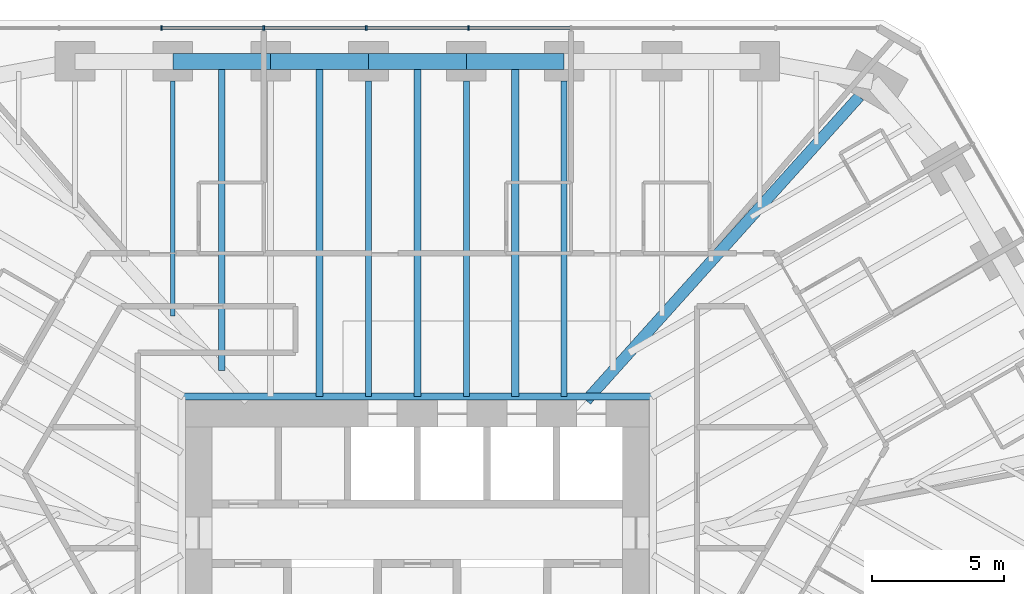
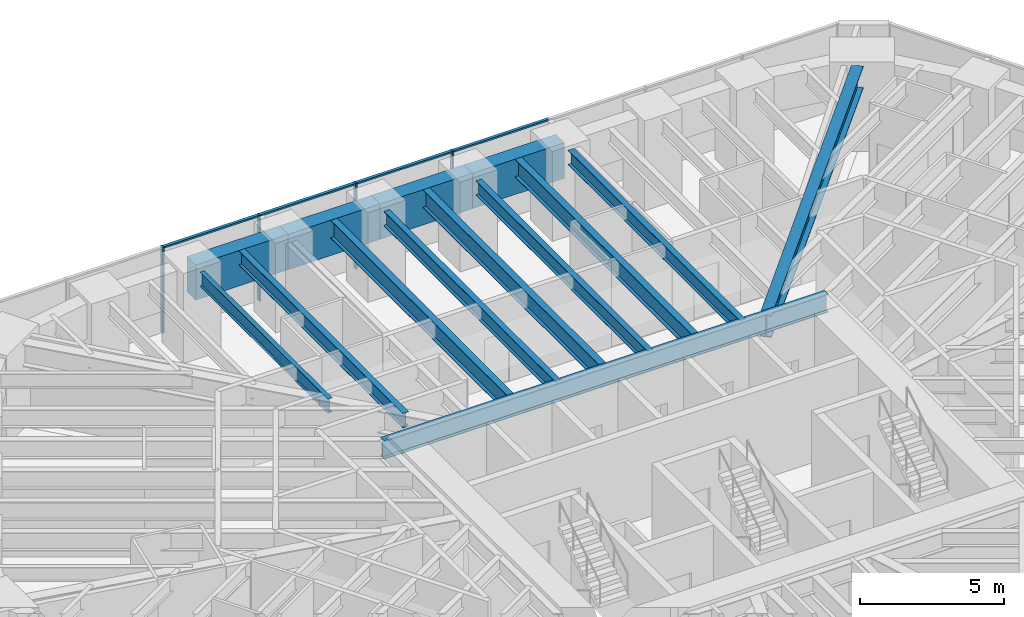
# One storey, part 8 of 17: 14 beams, 8 members, 1 element without a shape of its own.
"""IFC4 building model written with IfcOpenShell, lengths in metres."""

from ifc_helpers import new_model, si_unit, direction, frame, origin, origin_2d, place, context, subcontext, project, spatial, rectangle, i_section, extrude, material, material_profile, profile_set, type_object, element, aggregate, save


model = new_model("IFC4")

# Units and contexts
model_context = context("Model", 3, precision=1e-05, world=origin(), true_north=direction((0.0, 1.0)))
body_context = subcontext(model_context, "Body", "Model", "MODEL_VIEW")
ifc_project = project(units=[si_unit("LENGTHUNIT", "METRE"), si_unit("AREAUNIT", "SQUARE_METRE"), si_unit("VOLUMEUNIT", "CUBIC_METRE"), si_unit("PLANEANGLEUNIT", "RADIAN"), si_unit("MASSUNIT", "GRAM", prefix="KILO")], contexts=[model_context])

# Site, building, storey
site_placement = place(None, origin())
site = spatial("IfcSite", under=ifc_project, at=site_placement, CompositionType="ELEMENT")
building_placement = place(site_placement, origin())
building = spatial("IfcBuilding", under=site, at=building_placement, Name="Sandreach Pilgrim Tower", CompositionType="ELEMENT")
storey_placement = place(building_placement, frame((0.0, 0.0, 217.39990234375)))
storey = spatial("IfcBuildingStorey", under=building, at=storey_placement, Name="L54", CompositionType="ELEMENT", Elevation=217.39990234375)

# Curtain wall, members
ifc_material_1 = material(Name="Aluminium framed curtain wall", Category="aluminium")
curtain_wall_type = type_object("IfcCurtainWallType", Name="Upper hotel tower curtain wall", PredefinedType="NOTDEFINED", material=ifc_material_1)
curtain_wall_placement = place(storey_placement, origin())
curtain_wall = element("IfcCurtainWall", 1, at=curtain_wall_placement, inside=storey, type_object=curtain_wall_type, Name="CW-3 L54 N", PredefinedType="NOTDEFINED")
ifc_material_2 = material(Name="Aluminium extrusion", Category="aluminium")
ifc_material_profile_1 = material_profile(ifc_material_2, rectangle(XDim=0.06494140625, YDim=0.159912109375, at=origin_2d()), Name="CW-3M 65X160")
ifc_profile_set_1 = profile_set([ifc_material_profile_1], Name="Aluminium extrusion")
member_type_1 = type_object("IfcMemberType", Name="CW-3 mullion", PredefinedType="MULLION", material=ifc_profile_set_1)
member_1_placement = place(storey_placement, frame((-9.6611328125, 21.16015625, 0.0), z_axis=(0.0, 0.0, 1.0), x_axis=(1.0, 0.0, 0.0)))
member_1 = element("IfcMember", 2, at=member_1_placement, type_object=member_type_1, Name="CW-3 mullion 3", PredefinedType="MULLION", context=body_context, shape_type="SweptSolid", body=[
    extrude(rectangle(XDim=0.06494140625, YDim=0.159912109375, at=origin_2d()), origin(), (0.0, 0.0, 1.0), 3.64013671875),
])
member_2_placement = place(storey_placement, frame((-5.796630859375, 21.16015625, 0.0), z_axis=(0.0, 0.0, 1.0), x_axis=(1.0, 0.0, 0.0)))
member_2 = element("IfcMember", 3, at=member_2_placement, type_object=member_type_1, Name="CW-3 mullion 4", PredefinedType="MULLION", context=body_context, shape_type="SweptSolid", body=[
    extrude(rectangle(XDim=0.06494140625, YDim=0.159912109375, at=origin_2d()), origin(), (0.0, 0.0, 1.0), 3.64013671875),
])
member_3_placement = place(storey_placement, frame((-1.93212890625, 21.16015625, 0.0), z_axis=(0.0, 0.0, 1.0), x_axis=(1.0, 0.0, 0.0)))
member_3 = element("IfcMember", 4, at=member_3_placement, type_object=member_type_1, Name="CW-3 mullion 5", PredefinedType="MULLION", context=body_context, shape_type="SweptSolid", body=[
    extrude(rectangle(XDim=0.06494140625, YDim=0.159912109375, at=origin_2d()), origin(), (0.0, 0.0, 1.0), 3.64013671875),
])
member_4_placement = place(storey_placement, frame((1.93212890625, 21.16015625, 0.0), z_axis=(0.0, 0.0, 1.0), x_axis=(1.0, 0.0, 0.0)))
member_4 = element("IfcMember", 5, at=member_4_placement, type_object=member_type_1, Name="CW-3 mullion 6", PredefinedType="MULLION", context=body_context, shape_type="SweptSolid", body=[
    extrude(rectangle(XDim=0.06494140625, YDim=0.159912109375, at=origin_2d()), origin(), (0.0, 0.0, 1.0), 3.64013671875),
])
ifc_material_3 = material(Name="Aluminium extrusion", Category="aluminium")
ifc_material_profile_2 = material_profile(ifc_material_3, rectangle(XDim=0.1201171875, YDim=0.070068359375, at=origin_2d()), Name="CW-3T 120X70")
ifc_profile_set_2 = profile_set([ifc_material_profile_2], Name="Aluminium extrusion")
member_type_2 = type_object("IfcMemberType", Name="CW-3 transom", PredefinedType="USERDEFINED", material=ifc_profile_set_2)
member_5_placement = place(storey_placement, frame((-9.628662109375, 21.16015625, 3.60498046875), z_axis=(1.0, 0.0, 0.0), x_axis=(0.0, 1.0, 0.0)))
member_5 = element("IfcMember", 6, at=member_5_placement, type_object=member_type_2, Name="CW-3 head transom 3", ObjectType="TRANSOM", PredefinedType="USERDEFINED", context=body_context, shape_type="SweptSolid", body=[
    extrude(rectangle(XDim=0.1201171875, YDim=0.070068359375, at=origin_2d()), origin(), (0.0, 0.0, 1.0), 3.799560546875),
])
member_6_placement = place(storey_placement, frame((-5.76416015625, 21.16015625, 3.60498046875), z_axis=(1.0, 0.0, 0.0), x_axis=(0.0, 1.0, 0.0)))
member_6 = element("IfcMember", 7, at=member_6_placement, type_object=member_type_2, Name="CW-3 head transom 4", ObjectType="TRANSOM", PredefinedType="USERDEFINED", context=body_context, shape_type="SweptSolid", body=[
    extrude(rectangle(XDim=0.1201171875, YDim=0.070068359375, at=origin_2d()), origin(), (0.0, 0.0, 1.0), 3.799560546875),
])
member_7_placement = place(storey_placement, frame((-1.899658203125, 21.16015625, 3.60498046875), z_axis=(1.0, 0.0, 0.0), x_axis=(0.0, 1.0, 0.0)))
member_7 = element("IfcMember", 8, at=member_7_placement, type_object=member_type_2, Name="CW-3 head transom 5", ObjectType="TRANSOM", PredefinedType="USERDEFINED", context=body_context, shape_type="SweptSolid", body=[
    extrude(rectangle(XDim=0.1201171875, YDim=0.070068359375, at=origin_2d()), origin(), (0.0, 0.0, 1.0), 3.79931640625),
])
member_8_placement = place(storey_placement, frame((1.964599609375, 21.16015625, 3.60498046875), z_axis=(1.0, 0.0, 0.0), x_axis=(0.0, 1.0, 0.0)))
member_8 = element("IfcMember", 9, at=member_8_placement, type_object=member_type_2, Name="CW-3 head transom 6", ObjectType="TRANSOM", PredefinedType="USERDEFINED", context=body_context, shape_type="SweptSolid", body=[
    extrude(rectangle(XDim=0.1201171875, YDim=0.070068359375, at=origin_2d()), origin(), (0.0, 0.0, 1.0), 3.799560546875),
])
aggregate(curtain_wall, [member_1, member_2, member_3, member_4, member_5, member_6, member_7, member_8])

# Beams
ifc_material_4 = material(Name="Steel ASTM A992 Grade 50", Category="steel")
ifc_material_profile_3 = material_profile(ifc_material_4, i_section(OverallWidth=0.2666015625, OverallDepth=0.77978515625, WebThickness=0.0166015625, FlangeThickness=0.030029296875, at=origin_2d()), Name="W30X148")
ifc_profile_set_3 = profile_set([ifc_material_profile_3], Name="Steel ASTM A992 Grade 50")
beam_type_1 = type_object("IfcBeamType", Name="Core edge beam W30X148", PredefinedType="BEAM", material=ifc_profile_set_3)
beam_1_placement = place(storey_placement, frame((-8.893310546875, 7.243408203125, 3.250244140625), z_axis=(1.0, 0.0, 0.0), x_axis=(0.0, 1.0, 0.0)))
element("IfcBeam", 10, at=beam_1_placement, inside=storey, type_object=beam_type_1, Name="BM L54 CEN", PredefinedType="BEAM", context=body_context, shape_type="SweptSolid", body=[
    extrude(i_section(OverallWidth=0.2666015625, OverallDepth=0.77978515625, WebThickness=0.0166015625, FlangeThickness=0.030029296875, at=origin_2d()), origin(), (0.0, 0.0, 1.0), 17.78662109375),
])
ifc_material_5 = material(Name="Steel ASTM A992 Grade 50", Category="steel")
ifc_material_profile_4 = material_profile(ifc_material_5, i_section(OverallWidth=0.421630859375, OverallDepth=0.937255859375, WebThickness=0.0224609375, FlangeThickness=0.039794921875, at=origin_2d()), Name="W36X282")
ifc_profile_set_4 = profile_set([ifc_material_profile_4], Name="Steel ASTM A992 Grade 50")
beam_type_2 = type_object("IfcBeamType", Name="Corner girder W36X282", PredefinedType="BEAM", material=ifc_profile_set_4)
beam_2_placement = place(storey_placement, frame((16.677001953125, 18.572509765625, 3.17138671875), z_axis=(-0.668116607722, -0.744056582853, 0.0), x_axis=(0.744056582853, -0.668116607722, 0.0)))
element("IfcBeam", 11, at=beam_2_placement, inside=storey, type_object=beam_type_2, Name="BM L54 CG09", PredefinedType="BEAM", context=body_context, shape_type="SweptSolid", body=[
    extrude(i_section(OverallWidth=0.421630859375, OverallDepth=0.937255859375, WebThickness=0.0224609375, FlangeThickness=0.039794921875, at=origin_2d()), origin(), (0.0, 0.0, 1.0), 15.418701171875),
])
ifc_material_6 = material(Name="Steel ASTM A992 Grade 50", Category="steel")
ifc_material_profile_5 = material_profile(ifc_material_6, i_section(OverallWidth=0.1787109375, OverallDepth=0.60205078125, WebThickness=0.010986328125, FlangeThickness=0.014892578125, at=origin_2d()), Name="W24X62")
ifc_profile_set_5 = profile_set([ifc_material_profile_5], Name="Steel ASTM A992 Grade 50")
beam_type_3 = type_object("IfcBeamType", Name="Floor beam W24X62", PredefinedType="BEAM", material=ifc_profile_set_5)
beam_3_placement = place(storey_placement, frame((-9.231201171875, 19.150146484375, 3.339111328125), z_axis=(0.0, -1.0, 0.0), x_axis=(1.0, 0.0, 0.0)))
element("IfcBeam", 12, at=beam_3_placement, inside=storey, type_object=beam_type_3, Name="BM L54 F02", PredefinedType="BEAM", context=body_context, shape_type="SweptSolid", body=[
    extrude(i_section(OverallWidth=0.1787109375, OverallDepth=0.60205078125, WebThickness=0.010986328125, FlangeThickness=0.014892578125, at=origin_2d()), origin(), (0.0, 0.0, 1.0), 8.86962890625),
])
ifc_material_7 = material(Name="Steel ASTM A992 Grade 50", Category="steel")
ifc_material_profile_6 = material_profile(ifc_material_7, i_section(OverallWidth=0.23046875, OverallDepth=0.6171875, WebThickness=0.01318359375, FlangeThickness=0.022216796875, at=origin_2d()), Name="W24X94")
ifc_profile_set_6 = profile_set([ifc_material_profile_6], Name="Steel ASTM A992 Grade 50")
beam_type_4 = type_object("IfcBeamType", Name="Floor beam W24X94", PredefinedType="BEAM", material=ifc_profile_set_6)
for number, where, z_axis, x_axis, name in (
    (13, (-1.84619140625, 19.150146484375, 3.33154296875), (0.0, -1.0, 0.0), (1.0, 0.0, 0.0), "BM L54 F04"),
    (14, (1.84619140625, 19.150146484375, 3.33154296875), (0.0, -1.0, 0.0), (1.0, 0.0, 0.0), "BM L54 F05"),
    (15, (5.538818359375, 19.150146484375, 3.33154296875), (0.0, -1.0, 0.0), (1.0, 0.0, 0.0), "BM L54 F06"),
):
    element("IfcBeam", number, at=place(storey_placement, frame(where, z_axis=z_axis, x_axis=x_axis)), inside=storey, type_object=beam_type_4, Name=name, PredefinedType="BEAM", context=body_context, shape_type="SweptSolid", body=[
        extrude(i_section(OverallWidth=0.23046875, OverallDepth=0.6171875, WebThickness=0.01318359375, FlangeThickness=0.022216796875, at=origin_2d()), origin(), (0.0, 0.0, 1.0), 11.90673828125),
    ])
beam_4_placement = place(storey_placement, frame((-7.385009765625, 19.900146484375, 3.33154296875), z_axis=(0.0, -1.0, 0.0), x_axis=(1.0, 0.0, 0.0)))
element("IfcBeam", 16, at=beam_4_placement, inside=storey, type_object=beam_type_4, Name="BM L54 FM02", PredefinedType="BEAM", context=body_context, shape_type="SweptSolid", body=[
    extrude(i_section(OverallWidth=0.23046875, OverallDepth=0.6171875, WebThickness=0.01318359375, FlangeThickness=0.022216796875, at=origin_2d()), origin(), (0.0, 0.0, 1.0), 11.67578125),
])
ifc_material_8 = material(Name="Steel ASTM A992 Grade 50", Category="steel")
ifc_material_profile_7 = material_profile(ifc_material_8, i_section(OverallWidth=0.2666015625, OverallDepth=0.761962890625, WebThickness=0.014404296875, FlangeThickness=0.021484375, at=origin_2d()), Name="W30X116")
ifc_profile_set_7 = profile_set([ifc_material_profile_7], Name="Steel ASTM A992 Grade 50")
beam_type_5 = type_object("IfcBeamType", Name="Floor beam W30X116", PredefinedType="BEAM", material=ifc_profile_set_7)
for number, where, z_axis, x_axis, name in (
    (17, (-3.6923828125, 19.900146484375, 3.259033203125), (0.0, -1.0, 0.0), (1.0, 0.0, 0.0), "BM L54 FM03"),
    (18, (0.0, 19.900146484375, 3.259033203125), (0.0, -1.0, 0.0), (1.0, 0.0, 0.0), "BM L54 FM04"),
    (19, (3.6923828125, 19.900146484375, 3.259033203125), (0.0, -1.0, 0.0), (1.0, 0.0, 0.0), "BM L54 FM05"),
):
    element("IfcBeam", number, at=place(storey_placement, frame(where, z_axis=z_axis, x_axis=x_axis)), inside=storey, type_object=beam_type_5, Name=name, PredefinedType="BEAM", context=body_context, shape_type="SweptSolid", body=[
        extrude(i_section(OverallWidth=0.2666015625, OverallDepth=0.761962890625, WebThickness=0.014404296875, FlangeThickness=0.021484375, at=origin_2d()), origin(), (0.0, 0.0, 1.0), 12.65673828125),
    ])
ifc_material_9 = material(Name="Concrete 10000 psi", Category="concrete")
ifc_material_profile_8 = material_profile(ifc_material_9, rectangle(XDim=0.60009765625, YDim=1.5, at=origin_2d()), Name="RC600X1500")
ifc_profile_set_8 = profile_set([ifc_material_profile_8], Name="Concrete 10000 psi")
beam_type_6 = type_object("IfcBeamType", Name="Spandrel beam RC600X1500", PredefinedType="SPANDREL", material=ifc_profile_set_8)
beam_5_placement = place(storey_placement, frame((-9.231201171875, 19.900146484375, 2.89013671875), z_axis=(1.0, 0.0, 0.0), x_axis=(0.0, 1.0, 0.0)))
element("IfcBeam", 20, at=beam_5_placement, inside=storey, type_object=beam_type_6, Name="BM L54 SP02", PredefinedType="SPANDREL", context=body_context, shape_type="SweptSolid", body=[
    extrude(rectangle(XDim=0.60009765625, YDim=1.5, at=origin_2d()), origin(), (0.0, 0.0, 1.0), 3.6923828125),
])
beam_6_placement = place(storey_placement, frame((-5.538818359375, 19.900146484375, 2.89013671875), z_axis=(1.0, 0.0, 0.0), x_axis=(0.0, 1.0, 0.0)))
element("IfcBeam", 21, at=beam_6_placement, inside=storey, type_object=beam_type_6, Name="BM L54 SP03", PredefinedType="SPANDREL", context=body_context, shape_type="SweptSolid", body=[
    extrude(rectangle(XDim=0.60009765625, YDim=1.5, at=origin_2d()), origin(), (0.0, 0.0, 1.0), 3.692626953125),
])
beam_7_placement = place(storey_placement, frame((-1.84619140625, 19.900146484375, 2.89013671875), z_axis=(1.0, 0.0, 0.0), x_axis=(0.0, 1.0, 0.0)))
element("IfcBeam", 22, at=beam_7_placement, inside=storey, type_object=beam_type_6, Name="BM L54 SP04", PredefinedType="SPANDREL", context=body_context, shape_type="SweptSolid", body=[
    extrude(rectangle(XDim=0.60009765625, YDim=1.5, at=origin_2d()), origin(), (0.0, 0.0, 1.0), 3.6923828125),
])
beam_8_placement = place(storey_placement, frame((1.84619140625, 19.900146484375, 2.89013671875), z_axis=(1.0, 0.0, 0.0), x_axis=(0.0, 1.0, 0.0)))
element("IfcBeam", 23, at=beam_8_placement, inside=storey, type_object=beam_type_6, Name="BM L54 SP05", PredefinedType="SPANDREL", context=body_context, shape_type="SweptSolid", body=[
    extrude(rectangle(XDim=0.60009765625, YDim=1.5, at=origin_2d()), origin(), (0.0, 0.0, 1.0), 3.692626953125),
])

save(model, "model.ifc")
